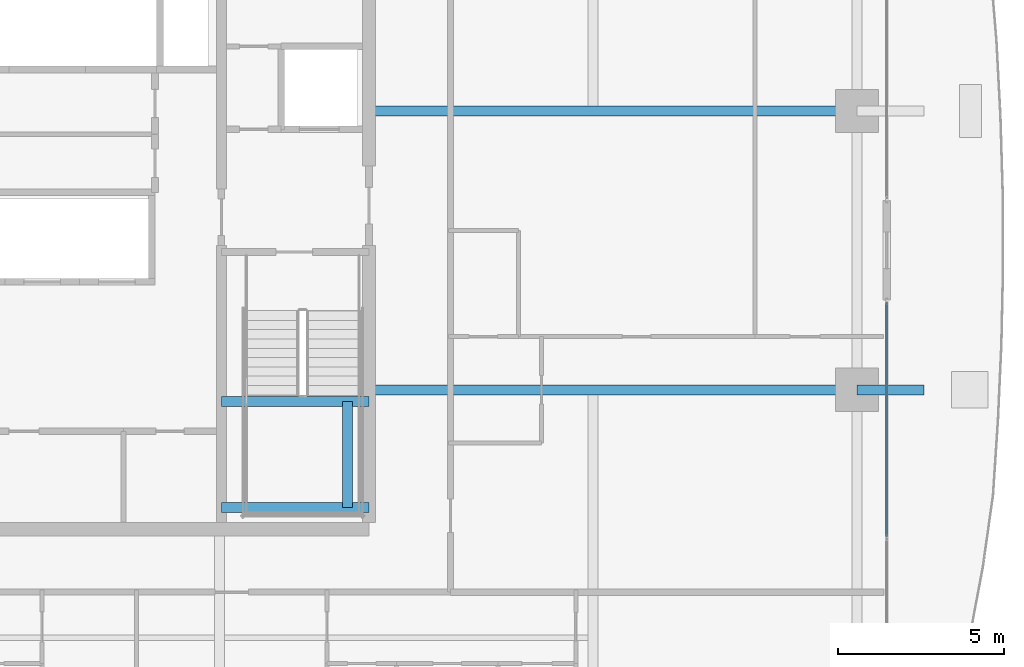
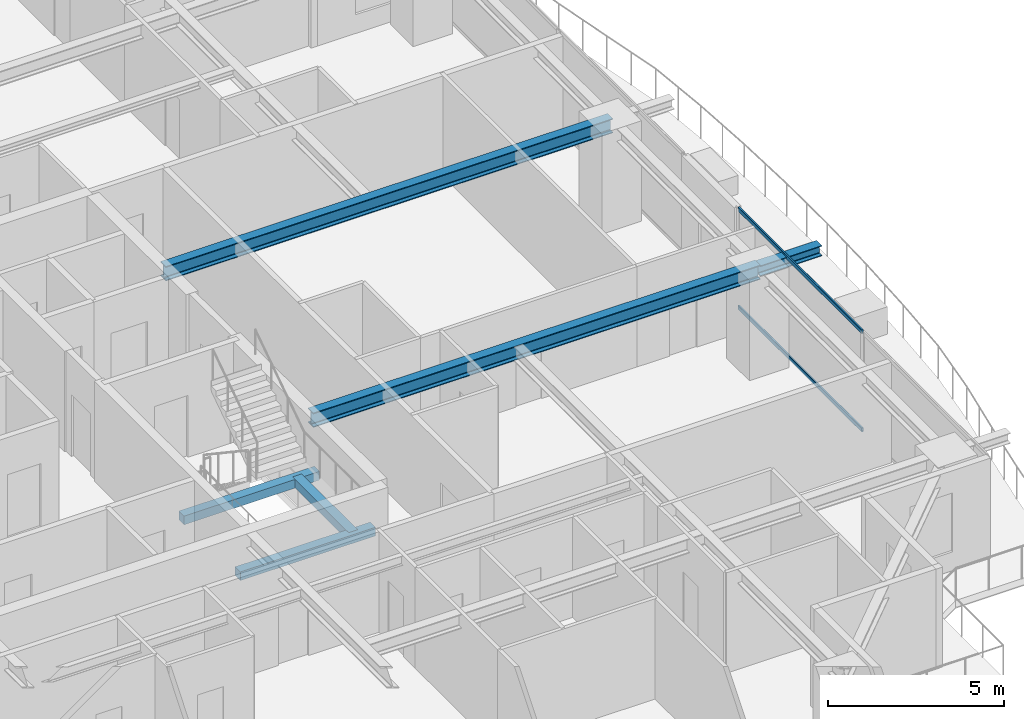
# One storey, part 13 of 34: 6 beams, 2 members, 1 element without a shape of its own.
"""IFC4 building model written with IfcOpenShell, lengths in metres."""

from ifc_helpers import new_model, si_unit, direction, frame, origin, origin_2d, place, context, subcontext, project, spatial, rectangle, hollow_rectangle, i_section, extrude, source, transform, mapped, material, layer, layer_set, material_profile, profile_set, type_object, element, aggregate, save


model = new_model("IFC4")

# Units and contexts
model_context = context("Model", 3, precision=1e-05, world=origin(), true_north=direction((0.0, 1.0)))
body_context = subcontext(model_context, "Body", "Model", "MODEL_VIEW")
ifc_project = project(units=[si_unit("LENGTHUNIT", "METRE"), si_unit("AREAUNIT", "SQUARE_METRE"), si_unit("VOLUMEUNIT", "CUBIC_METRE"), si_unit("PLANEANGLEUNIT", "RADIAN"), si_unit("MASSUNIT", "GRAM", prefix="KILO")], contexts=[model_context])

# Site, building, storey
site_placement = place(None, origin())
site = spatial("IfcSite", under=ifc_project, at=site_placement, CompositionType="ELEMENT")
building_placement = place(site_placement, origin())
building = spatial("IfcBuilding", under=site, at=building_placement, Name="Serunith Strait Residences", CompositionType="ELEMENT")
storey_placement = place(building_placement, frame((0.0, 0.0, 135.14990234375)))
storey = spatial("IfcBuildingStorey", under=building, at=storey_placement, Name="L33", CompositionType="ELEMENT", Elevation=135.14990234375)

# Beams
ifc_material_1 = material(Name="Steel S355J2", Category="steel")
ifc_material_profile_1 = material_profile(ifc_material_1, i_section(OverallWidth=0.300048828125, OverallDepth=0.5, WebThickness=0.014404296875, FlangeThickness=0.028076171875, FilletRadius=0.027099609375, at=origin_2d()), Name="HEB 500")
ifc_profile_set_1 = profile_set([ifc_material_profile_1], Name="Steel S355J2")
beam_type_1 = type_object("IfcBeamType", Name="BM-HEB500", PredefinedType="BEAM", material=ifc_profile_set_1)
shared_shape_1 = source(origin(), body_context, "Body", "SweptSolid", [
    extrude(i_section(OverallWidth=0.300048828125, OverallDepth=0.5, WebThickness=0.014404296875, FlangeThickness=0.028076171875, FilletRadius=0.027099609375, at=origin_2d()), origin(), (0.0, 0.0, 1.0), 14.7001953125),
])
for number, where, z_axis, x_axis, name in (
    (1, (41.39990234375, 21.0, 3.237060546875), (1.0, 0.0, 0.0), (0.0, 1.0, 0.0), "L33 Primary Floor Girder TC-E2"),
    (2, (41.39990234375, 29.39990234375, 3.237060546875), (1.0, 0.0, 0.0), (0.0, 1.0, 0.0), "L33 Primary Floor Girder TC-E3"),
):
    element("IfcBeam", number, at=place(storey_placement, frame(where, z_axis=z_axis, x_axis=x_axis)), inside=storey, type_object=beam_type_1, Name=name, PredefinedType="BEAM", context=body_context, shape_type="MappedRepresentation", body=[
        mapped(shared_shape_1, transform((0.0, 0.0, 0.0), scale=1.0)),
    ])
ifc_material_profile_2 = material_profile(ifc_material_1, i_section(OverallWidth=0.300048828125, OverallDepth=0.360107421875, WebThickness=0.012451171875, FlangeThickness=0.0224609375, FilletRadius=0.027099609375, at=origin_2d()), Name="HEB 360")
ifc_profile_set_2 = profile_set([ifc_material_profile_2], Name="Steel S355J2")
beam_type_2 = type_object("IfcBeamType", Name="BM-HEB360", PredefinedType="BEAM", material=ifc_profile_set_2)
shared_shape_2 = source(origin(), body_context, "Body", "SweptSolid", [
    extrude(i_section(OverallWidth=0.300048828125, OverallDepth=0.360107421875, WebThickness=0.012451171875, FlangeThickness=0.0224609375, FilletRadius=0.027099609375, at=origin_2d()), origin(), (0.0, 0.0, 1.0), 2.02978515625),
])
beam_1_placement = place(storey_placement, frame((56.10009765625, 21.0, 3.277099609375), z_axis=(1.0, 0.0, 0.0), x_axis=(0.0, 1.0, 0.0)))
element("IfcBeam", 3, at=beam_1_placement, inside=storey, type_object=beam_type_2, Name="L34 Cantilevered Balcony Rib TC-E2", PredefinedType="BEAM", context=body_context, shape_type="MappedRepresentation", body=[
    mapped(shared_shape_2, transform((0.0, 0.0, 0.0), scale=1.0)),
])
ifc_material_2 = material(Name="Concrete C60/75", Category="concrete")
ifc_material_profile_3 = material_profile(ifc_material_2, rectangle(XDim=0.300048828125, YDim=0.300048828125, at=origin_2d()), Name="RC 300x300")
ifc_profile_set_3 = profile_set([ifc_material_profile_3], Name="Concrete C60/75")
beam_type_3 = type_object("IfcBeamType", Name="BM-LAND-300x300", PredefinedType="BEAM", material=ifc_profile_set_3)
shared_shape_3 = source(origin(), body_context, "Body", "SweptSolid", [
    extrude(rectangle(XDim=0.300048828125, YDim=0.300048828125, at=origin_2d()), origin(), (0.0, 0.0, 1.0), 3.199951171875),
])
beam_2_placement = place(storey_placement, frame((40.75, 17.449951171875, 1.525146484375), z_axis=(0.0, 1.0, 0.0), x_axis=(-1.0, 0.0, 0.0)))
element("IfcBeam", 4, at=beam_2_placement, inside=storey, type_object=beam_type_3, Name="L33 ST-2 Landing Transverse Tie Beam", PredefinedType="BEAM", context=body_context, shape_type="MappedRepresentation", body=[
    mapped(shared_shape_3, transform((0.0, 0.0, 0.0), scale=1.0)),
])
shared_shape_4 = source(origin(), body_context, "Body", "SweptSolid", [
    extrude(rectangle(XDim=0.300048828125, YDim=0.300048828125, at=origin_2d()), origin(), (0.0, 0.0, 1.0), 4.449951171875),
])
for number, where, z_axis, x_axis, name in (
    (5, (36.949951171875, 17.449951171875, 1.525146484375), (1.0, 0.0, 0.0), (0.0, 1.0, 0.0), "L33 ST-2 Landing Support Beam 1"),
    (6, (36.949951171875, 20.64990234375, 1.525146484375), (1.0, 0.0, 0.0), (0.0, 1.0, 0.0), "L33 ST-2 Landing Support Beam 2"),
):
    element("IfcBeam", number, at=place(storey_placement, frame(where, z_axis=z_axis, x_axis=x_axis)), inside=storey, type_object=beam_type_3, Name=name, PredefinedType="BEAM", context=body_context, shape_type="MappedRepresentation", body=[
        mapped(shared_shape_4, transform((0.0, 0.0, 0.0), scale=1.0)),
    ])

# Curtain wall, members
ifc_material_3 = material(Name="Pale-Champagne Anodised Aluminium", Category="aluminium")
ifc_layer = layer(ifc_material_3, 0.199951171875, Name="Pale-Champagne Anodised Aluminium")
ifc_layer_set = layer_set([ifc_layer], Name="Pale-Champagne Anodised Aluminium")
curtain_wall_type = type_object("IfcCurtainWallType", Name="CW-SYS2", PredefinedType="NOTDEFINED", material=ifc_layer_set)
curtain_wall_placement = place(storey_placement, origin())
curtain_wall = element("IfcCurtainWall", 7, at=curtain_wall_placement, inside=storey, type_object=curtain_wall_type, Name="L33 E Unitised Fritted Curtain Wall", PredefinedType="NOTDEFINED")
ifc_material_profile_4 = material_profile(ifc_material_3, hollow_rectangle(XDim=0.06005859375, YDim=0.139892578125, WallThickness=0.00341796875, InnerFilletRadius=0.00537109375, OuterFilletRadius=0.0087890625, at=origin_2d()), Name="ALU 140x60x3.5")
ifc_profile_set_4 = profile_set([ifc_material_profile_4], Name="Pale-Champagne Anodised Aluminium")
member_type = type_object("IfcMemberType", Name="CW-SYS2-TRAN", PredefinedType="USERDEFINED", material=ifc_profile_set_4)
shared_shape_5 = source(origin(), body_context, "Body", "SweptSolid", [
    extrude(hollow_rectangle(XDim=0.06005859375, YDim=0.139892578125, WallThickness=0.00341796875, InnerFilletRadius=0.00537109375, OuterFilletRadius=0.0087890625, at=origin_2d()), origin(), (0.0, 0.0, 1.0), 7.044921875),
])
member_1_placement = place(storey_placement, frame((57.0, 16.5849609375, 0.030029296875), z_axis=(0.0, 1.0, 0.0), x_axis=(-1.0, 0.0, 0.0)))
member_1 = element("IfcMember", 8, at=member_1_placement, type_object=member_type, Name="CW-2 transom 2.1", ObjectType="TRANSOM", PredefinedType="USERDEFINED", context=body_context, shape_type="MappedRepresentation", body=[
    mapped(shared_shape_5, transform((0.0, 0.0, 0.0), scale=1.0)),
])
member_2_placement = place(storey_placement, frame((57.0, 16.5849609375, 3.445068359375), z_axis=(0.0, 1.0, 0.0), x_axis=(-1.0, 0.0, 0.0)))
member_2 = element("IfcMember", 9, at=member_2_placement, type_object=member_type, Name="CW-2 transom 2.2", ObjectType="TRANSOM", PredefinedType="USERDEFINED", context=body_context, shape_type="MappedRepresentation", body=[
    mapped(shared_shape_5, transform((0.0, 0.0, 0.0), scale=1.0)),
])
aggregate(curtain_wall, [member_1, member_2])

save(model, "model.ifc")
